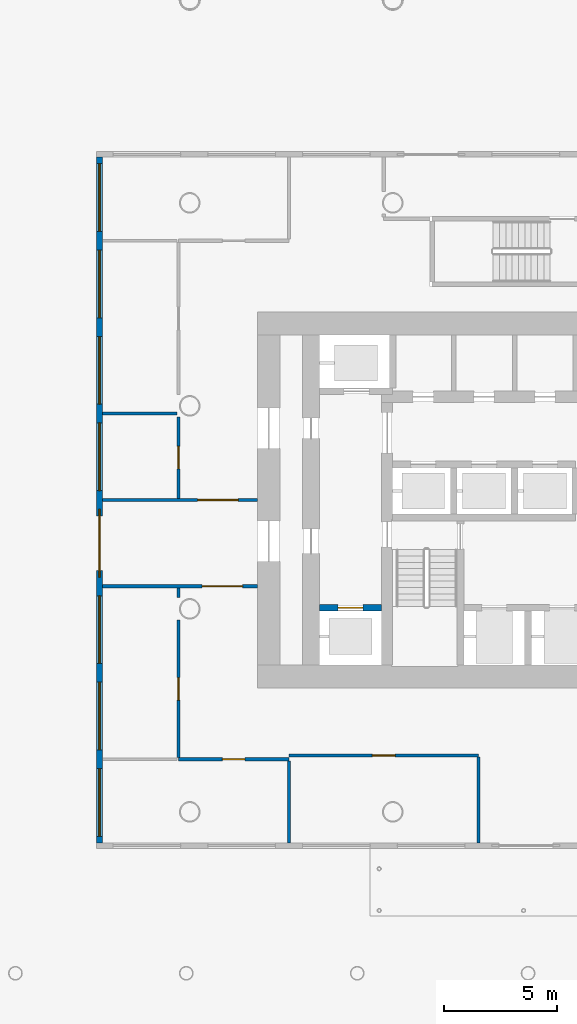
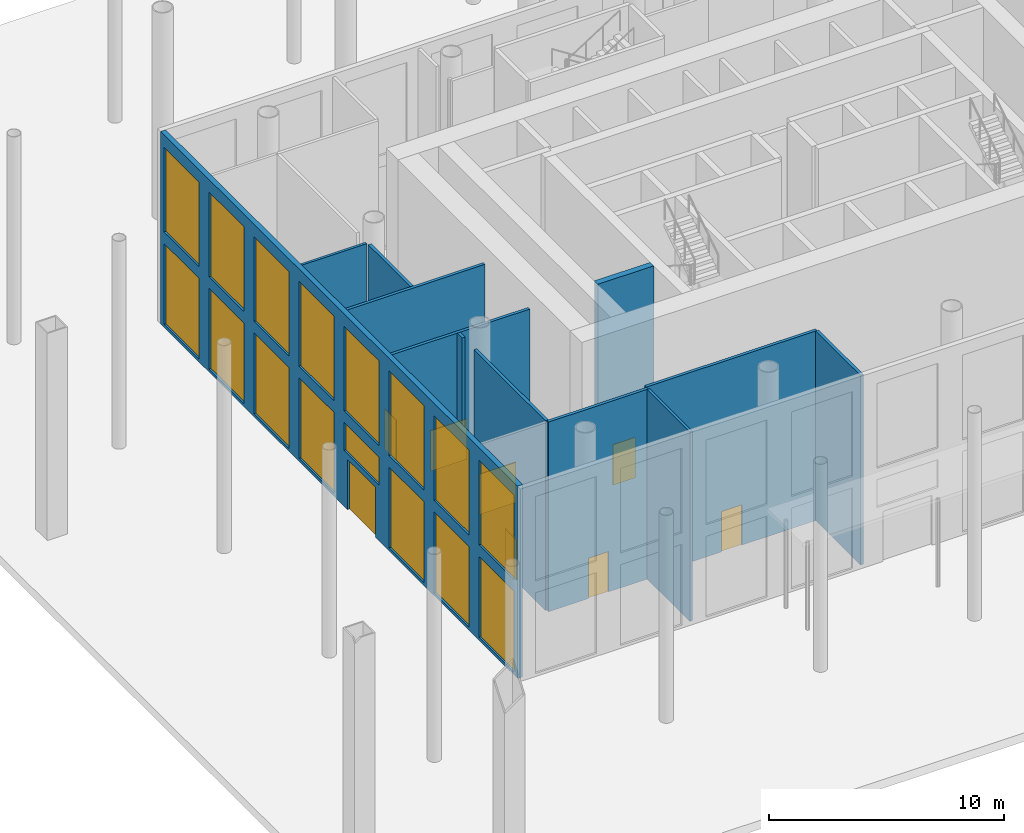
# One storey, part 8 of 18: 16 windows, 12 walls, 8 doors, 24 openings.
"""IFC4 building model written with IfcOpenShell, lengths in metres."""

from ifc_helpers import new_model, si_unit, direction, frame, frame_2d, origin, place, context, subcontext, project, spatial, rectangle, extrude, material, layer, layer_set, type_object, element, fill, save


model = new_model("IFC4")

# Units and contexts
model_context = context("Model", 3, precision=1e-05, world=origin(), true_north=direction((0.0, 1.0)))
body_context = subcontext(model_context, "Body", "Model", "MODEL_VIEW")
ifc_project = project(units=[si_unit("LENGTHUNIT", "METRE"), si_unit("AREAUNIT", "SQUARE_METRE"), si_unit("VOLUMEUNIT", "CUBIC_METRE"), si_unit("PLANEANGLEUNIT", "RADIAN"), si_unit("MASSUNIT", "GRAM", prefix="KILO")], contexts=[model_context])

# Site, building, storey
site_placement = place(None, origin())
site = spatial("IfcSite", under=ifc_project, at=site_placement, CompositionType="ELEMENT")
building_placement = place(site_placement, origin())
building = spatial("IfcBuilding", under=site, at=building_placement, Name="Tskaro Facet Tower", CompositionType="ELEMENT")
storey_placement = place(building_placement, origin())
storey = spatial("IfcBuildingStorey", under=building, at=storey_placement, Name="L00", CompositionType="ELEMENT", Elevation=0.0)

# Wall, opening, door
ifc_material_1 = material(Name="Concrete C60/75", Category="concrete")
ifc_layer_1 = layer(ifc_material_1, 0.300048828125, Name="Concrete C60/75")
ifc_layer_set_1 = layer_set([ifc_layer_1], Name="Concrete C60/75")
wall_type_1 = type_object("IfcWallType", Name="CORE-SHAFT", PredefinedType="SHEAR", material=ifc_layer_set_1)
wall_1_placement = place(storey_placement, frame((-12.25, -8.949951171875, 0.0), z_axis=(0.0, 0.0, 1.0), x_axis=(1.0, 0.0, 0.0)))
wall_1 = element("IfcWall", 1, at=wall_1_placement, inside=storey, type_object=wall_type_1, Name="Shaft wall W006", PredefinedType="SHEAR", context=body_context, shape_type="SweptSolid", body=[
    extrude(rectangle(XDim=2.75, YDim=0.300048828125, at=frame_2d((1.375, 0.0))), origin(), (0.0, 0.0, 1.0), 10.800048828125),
])
opening_1_placement = place(wall_1_placement, frame((0.824951171875, 0.0, 0.0)))
opening_1 = element("IfcOpeningElement", 2, at=opening_1_placement, cuts=wall_1, Name="Opening LD-SHWS", PredefinedType="OPENING", context=body_context, shape_type="SweptSolid", body=[
    extrude(rectangle(XDim=1.10009765625, YDim=2.10009765625, at=frame_2d((0.550048828125, 1.050048828125))), frame((0.0, 0.159912109375, 0.0), z_axis=(0.0, -1.0, 0.0), x_axis=(1.0, 0.0, 0.0)), (0.0, 0.0, 1.0), 0.320068359375),
])
ifc_material_2 = material(Name="Stainless steel", Category="steel")
door_type_1 = type_object("IfcDoorType", Name="D-LANDING", OperationType="NOTDEFINED", PredefinedType="DOOR", material=ifc_material_2)
door_1_placement = place(opening_1_placement, origin())
door_1 = element("IfcDoor", 3, at=door_1_placement, inside=storey, type_object=door_type_1, Name="Landing door shuttle W1", OperationType="DOUBLE_DOOR_SLIDING", OverallHeight=2.10009765625, OverallWidth=1.10009765625, PredefinedType="DOOR", context=body_context, shape_type="SweptSolid", body=[
    extrude(rectangle(XDim=1.10009765625, YDim=2.10009765625, at=frame_2d((0.550048828125, 1.050048828125))), frame((0.0, 0.02490234375, 0.0), z_axis=(0.0, -1.0, 0.0), x_axis=(1.0, 0.0, 0.0)), (0.0, 0.0, 1.0), 0.050048828125),
])
fill(opening_1, door_1)

# Wall, openings, windows, door
ifc_material_3 = material(Name="Bronze anodised aluminium cladding 5005-H34", Category="aluminium")
ifc_layer_2 = layer(ifc_material_3, 0.25, Name="Bronze anodised aluminium cladding 5005-H34")
ifc_layer_set_2 = layer_set([ifc_layer_2], Name="Bronze anodised aluminium cladding 5005-H34")
wall_type_2 = type_object("IfcWallType", Name="Concourse frame wall", PredefinedType="STANDARD", material=ifc_layer_set_2)
wall_2_placement = place(storey_placement, frame((-22.0, 11.02490234375, 0.0), z_axis=(0.0, 0.0, 1.0), x_axis=(0.0, -1.0, 0.0)))
wall_2 = element("IfcWall", 4, at=wall_2_placement, inside=storey, type_object=wall_type_2, Name="Concourse wall west", PredefinedType="STANDARD", context=body_context, shape_type="SweptSolid", body=[
    extrude(rectangle(XDim=30.39990234375, YDim=0.25, at=frame_2d((15.199951171875, 0.0))), origin(), (0.0, 0.0, 1.0), 10.0),
])
opening_2_placement = place(wall_2_placement, frame((0.29052734375, 0.0, 0.14990234375)))
opening_2 = element("IfcOpeningElement", 5, at=opening_2_placement, cuts=wall_2, Name="Opening GW1", PredefinedType="OPENING", context=body_context, shape_type="SweptSolid", body=[
    extrude(rectangle(XDim=3.0, YDim=4.199951171875, at=frame_2d((1.5, 2.10009765625))), frame((0.0, 0.135009765625, 0.0), z_axis=(0.0, -1.0, 0.0), x_axis=(1.0, 0.0, 0.0)), (0.0, 0.0, 1.0), 0.27001953125),
])
opening_3_placement = place(wall_2_placement, frame((0.29052734375, 0.0, 4.949951171875)))
opening_3 = element("IfcOpeningElement", 6, at=opening_3_placement, cuts=wall_2, Name="Opening GW2", PredefinedType="OPENING", context=body_context, shape_type="SweptSolid", body=[
    extrude(rectangle(XDim=3.0, YDim=4.39990234375, at=frame_2d((1.5, 2.199951171875))), frame((0.0, 0.135009765625, 0.0), z_axis=(0.0, -1.0, 0.0), x_axis=(1.0, 0.0, 0.0)), (0.0, 0.0, 1.0), 0.27001953125),
])
opening_4_placement = place(wall_2_placement, frame((4.121826171875, 0.0, 0.14990234375)))
opening_4 = element("IfcOpeningElement", 7, at=opening_4_placement, cuts=wall_2, Name="Opening GW1", PredefinedType="OPENING", context=body_context, shape_type="SweptSolid", body=[
    extrude(rectangle(XDim=3.0, YDim=4.199951171875, at=frame_2d((1.5, 2.10009765625))), frame((0.0, 0.135009765625, 0.0), z_axis=(0.0, -1.0, 0.0), x_axis=(1.0, 0.0, 0.0)), (0.0, 0.0, 1.0), 0.27001953125),
])
opening_5_placement = place(wall_2_placement, frame((4.121826171875, 0.0, 4.949951171875)))
opening_5 = element("IfcOpeningElement", 8, at=opening_5_placement, cuts=wall_2, Name="Opening GW2", PredefinedType="OPENING", context=body_context, shape_type="SweptSolid", body=[
    extrude(rectangle(XDim=3.0, YDim=4.39990234375, at=frame_2d((1.5, 2.199951171875))), frame((0.0, 0.135009765625, 0.0), z_axis=(0.0, -1.0, 0.0), x_axis=(1.0, 0.0, 0.0)), (0.0, 0.0, 1.0), 0.27001953125),
])
opening_6_placement = place(wall_2_placement, frame((7.953125, 0.0, 0.14990234375)))
opening_6 = element("IfcOpeningElement", 9, at=opening_6_placement, cuts=wall_2, Name="Opening GW1", PredefinedType="OPENING", context=body_context, shape_type="SweptSolid", body=[
    extrude(rectangle(XDim=3.0, YDim=4.199951171875, at=frame_2d((1.5, 2.10009765625))), frame((0.0, 0.135009765625, 0.0), z_axis=(0.0, -1.0, 0.0), x_axis=(1.0, 0.0, 0.0)), (0.0, 0.0, 1.0), 0.27001953125),
])
opening_7_placement = place(wall_2_placement, frame((7.953125, 0.0, 4.949951171875)))
opening_7 = element("IfcOpeningElement", 10, at=opening_7_placement, cuts=wall_2, Name="Opening GW2", PredefinedType="OPENING", context=body_context, shape_type="SweptSolid", body=[
    extrude(rectangle(XDim=3.0, YDim=4.39990234375, at=frame_2d((1.5, 2.199951171875))), frame((0.0, 0.135009765625, 0.0), z_axis=(0.0, -1.0, 0.0), x_axis=(1.0, 0.0, 0.0)), (0.0, 0.0, 1.0), 0.27001953125),
])
opening_8_placement = place(wall_2_placement, frame((11.784423828125, 0.0, 0.14990234375)))
opening_8 = element("IfcOpeningElement", 11, at=opening_8_placement, cuts=wall_2, Name="Opening GW1", PredefinedType="OPENING", context=body_context, shape_type="SweptSolid", body=[
    extrude(rectangle(XDim=3.0, YDim=4.199951171875, at=frame_2d((1.5, 2.10009765625))), frame((0.0, 0.135009765625, 0.0), z_axis=(0.0, -1.0, 0.0), x_axis=(1.0, 0.0, 0.0)), (0.0, 0.0, 1.0), 0.27001953125),
])
opening_9_placement = place(wall_2_placement, frame((11.784423828125, 0.0, 4.949951171875)))
opening_9 = element("IfcOpeningElement", 12, at=opening_9_placement, cuts=wall_2, Name="Opening GW2", PredefinedType="OPENING", context=body_context, shape_type="SweptSolid", body=[
    extrude(rectangle(XDim=3.0, YDim=4.39990234375, at=frame_2d((1.5, 2.199951171875))), frame((0.0, 0.135009765625, 0.0), z_axis=(0.0, -1.0, 0.0), x_axis=(1.0, 0.0, 0.0)), (0.0, 0.0, 1.0), 0.27001953125),
])
opening_10_placement = place(wall_2_placement, frame((15.91552734375, 0.0, 0.0)))
opening_10 = element("IfcOpeningElement", 13, at=opening_10_placement, cuts=wall_2, Name="Opening E06", PredefinedType="OPENING", context=body_context, shape_type="SweptSolid", body=[
    extrude(rectangle(XDim=2.39990234375, YDim=2.60009765625, at=frame_2d((1.199951171875, 1.300048828125))), frame((0.0, 0.135009765625, 0.0), z_axis=(0.0, -1.0, 0.0), x_axis=(1.0, 0.0, 0.0)), (0.0, 0.0, 1.0), 0.27001953125),
])
opening_11_placement = place(wall_2_placement, frame((15.61572265625, 0.0, 2.89990234375)))
opening_11 = element("IfcOpeningElement", 14, at=opening_11_placement, cuts=wall_2, Name="Opening GW3", PredefinedType="OPENING", context=body_context, shape_type="SweptSolid", body=[
    extrude(rectangle(XDim=3.0, YDim=1.449951171875, at=frame_2d((1.5, 0.72509765625))), frame((0.0, 0.135009765625, 0.0), z_axis=(0.0, -1.0, 0.0), x_axis=(1.0, 0.0, 0.0)), (0.0, 0.0, 1.0), 0.27001953125),
])
opening_12_placement = place(wall_2_placement, frame((15.61572265625, 0.0, 4.949951171875)))
opening_12 = element("IfcOpeningElement", 15, at=opening_12_placement, cuts=wall_2, Name="Opening GW2", PredefinedType="OPENING", context=body_context, shape_type="SweptSolid", body=[
    extrude(rectangle(XDim=3.0, YDim=4.39990234375, at=frame_2d((1.5, 2.199951171875))), frame((0.0, 0.135009765625, 0.0), z_axis=(0.0, -1.0, 0.0), x_axis=(1.0, 0.0, 0.0)), (0.0, 0.0, 1.0), 0.27001953125),
])
opening_13_placement = place(wall_2_placement, frame((19.44677734375, 0.0, 0.14990234375)))
opening_13 = element("IfcOpeningElement", 16, at=opening_13_placement, cuts=wall_2, Name="Opening GW1", PredefinedType="OPENING", context=body_context, shape_type="SweptSolid", body=[
    extrude(rectangle(XDim=3.0, YDim=4.199951171875, at=frame_2d((1.5, 2.10009765625))), frame((0.0, 0.135009765625, 0.0), z_axis=(0.0, -1.0, 0.0), x_axis=(1.0, 0.0, 0.0)), (0.0, 0.0, 1.0), 0.27001953125),
])
opening_14_placement = place(wall_2_placement, frame((19.44677734375, 0.0, 4.949951171875)))
opening_14 = element("IfcOpeningElement", 17, at=opening_14_placement, cuts=wall_2, Name="Opening GW2", PredefinedType="OPENING", context=body_context, shape_type="SweptSolid", body=[
    extrude(rectangle(XDim=3.0, YDim=4.39990234375, at=frame_2d((1.5, 2.199951171875))), frame((0.0, 0.135009765625, 0.0), z_axis=(0.0, -1.0, 0.0), x_axis=(1.0, 0.0, 0.0)), (0.0, 0.0, 1.0), 0.27001953125),
])
opening_15_placement = place(wall_2_placement, frame((23.278076171875, 0.0, 0.14990234375)))
opening_15 = element("IfcOpeningElement", 18, at=opening_15_placement, cuts=wall_2, Name="Opening GW1", PredefinedType="OPENING", context=body_context, shape_type="SweptSolid", body=[
    extrude(rectangle(XDim=3.0, YDim=4.199951171875, at=frame_2d((1.5, 2.10009765625))), frame((0.0, 0.135009765625, 0.0), z_axis=(0.0, -1.0, 0.0), x_axis=(1.0, 0.0, 0.0)), (0.0, 0.0, 1.0), 0.27001953125),
])
opening_16_placement = place(wall_2_placement, frame((23.278076171875, 0.0, 4.949951171875)))
opening_16 = element("IfcOpeningElement", 19, at=opening_16_placement, cuts=wall_2, Name="Opening GW2", PredefinedType="OPENING", context=body_context, shape_type="SweptSolid", body=[
    extrude(rectangle(XDim=3.0, YDim=4.39990234375, at=frame_2d((1.5, 2.199951171875))), frame((0.0, 0.135009765625, 0.0), z_axis=(0.0, -1.0, 0.0), x_axis=(1.0, 0.0, 0.0)), (0.0, 0.0, 1.0), 0.27001953125),
])
opening_17_placement = place(wall_2_placement, frame((27.109375, 0.0, 0.14990234375)))
opening_17 = element("IfcOpeningElement", 20, at=opening_17_placement, cuts=wall_2, Name="Opening GW1", PredefinedType="OPENING", context=body_context, shape_type="SweptSolid", body=[
    extrude(rectangle(XDim=3.0, YDim=4.199951171875, at=frame_2d((1.5, 2.10009765625))), frame((0.0, 0.135009765625, 0.0), z_axis=(0.0, -1.0, 0.0), x_axis=(1.0, 0.0, 0.0)), (0.0, 0.0, 1.0), 0.27001953125),
])
opening_18_placement = place(wall_2_placement, frame((27.109375, 0.0, 4.949951171875)))
opening_18 = element("IfcOpeningElement", 21, at=opening_18_placement, cuts=wall_2, Name="Opening GW2", PredefinedType="OPENING", context=body_context, shape_type="SweptSolid", body=[
    extrude(rectangle(XDim=3.0, YDim=4.39990234375, at=frame_2d((1.5, 2.199951171875))), frame((0.0, 0.135009765625, 0.0), z_axis=(0.0, -1.0, 0.0), x_axis=(1.0, 0.0, 0.0)), (0.0, 0.0, 1.0), 0.27001953125),
])
ifc_material_4 = material(Name="Bronze tinted glass", Category="glass")
window_type_1 = type_object("IfcWindowType", Name="Concourse transom light 3000x1450", PartitioningType="SINGLE_PANEL", PredefinedType="WINDOW", material=ifc_material_4)
window_1_placement = place(opening_11_placement, origin())
window_1 = element("IfcWindow", 22, at=window_1_placement, inside=storey, type_object=window_type_1, Name="Concourse transom light west 5", OverallHeight=1.449951171875, OverallWidth=3.0, PartitioningType="SINGLE_PANEL", PredefinedType="WINDOW", context=body_context, shape_type="SweptSolid", body=[
    extrude(rectangle(XDim=3.0, YDim=1.449951171875, at=frame_2d((1.5, 0.72509765625))), frame((0.0, 0.030029296875, 0.0), z_axis=(0.0, -1.0, 0.0), x_axis=(1.0, 0.0, 0.0)), (0.0, 0.0, 1.0), 0.06005859375),
])
fill(opening_11, window_1)
window_type_2 = type_object("IfcWindowType", Name="Concourse window 3000x4200", PartitioningType="DOUBLE_PANEL_HORIZONTAL", PredefinedType="WINDOW", material=ifc_material_4)
window_2_placement = place(opening_2_placement, origin())
window_2 = element("IfcWindow", 23, at=window_2_placement, inside=storey, type_object=window_type_2, Name="Concourse window west 1 lower", OverallHeight=4.199951171875, OverallWidth=3.0, PartitioningType="DOUBLE_PANEL_HORIZONTAL", PredefinedType="WINDOW", context=body_context, shape_type="SweptSolid", body=[
    extrude(rectangle(XDim=3.0, YDim=4.199951171875, at=frame_2d((1.5, 2.10009765625))), frame((0.0, 0.030029296875, 0.0), z_axis=(0.0, -1.0, 0.0), x_axis=(1.0, 0.0, 0.0)), (0.0, 0.0, 1.0), 0.06005859375),
])
fill(opening_2, window_2)
window_3_placement = place(opening_4_placement, origin())
window_3 = element("IfcWindow", 24, at=window_3_placement, inside=storey, type_object=window_type_2, Name="Concourse window west 2 lower", OverallHeight=4.199951171875, OverallWidth=3.0, PartitioningType="DOUBLE_PANEL_HORIZONTAL", PredefinedType="WINDOW", context=body_context, shape_type="SweptSolid", body=[
    extrude(rectangle(XDim=3.0, YDim=4.199951171875, at=frame_2d((1.5, 2.10009765625))), frame((0.0, 0.030029296875, 0.0), z_axis=(0.0, -1.0, 0.0), x_axis=(1.0, 0.0, 0.0)), (0.0, 0.0, 1.0), 0.06005859375),
])
fill(opening_4, window_3)
window_4_placement = place(opening_6_placement, origin())
window_4 = element("IfcWindow", 25, at=window_4_placement, inside=storey, type_object=window_type_2, Name="Concourse window west 3 lower", OverallHeight=4.199951171875, OverallWidth=3.0, PartitioningType="DOUBLE_PANEL_HORIZONTAL", PredefinedType="WINDOW", context=body_context, shape_type="SweptSolid", body=[
    extrude(rectangle(XDim=3.0, YDim=4.199951171875, at=frame_2d((1.5, 2.10009765625))), frame((0.0, 0.030029296875, 0.0), z_axis=(0.0, -1.0, 0.0), x_axis=(1.0, 0.0, 0.0)), (0.0, 0.0, 1.0), 0.06005859375),
])
fill(opening_6, window_4)
window_5_placement = place(opening_8_placement, origin())
window_5 = element("IfcWindow", 26, at=window_5_placement, inside=storey, type_object=window_type_2, Name="Concourse window west 4 lower", OverallHeight=4.199951171875, OverallWidth=3.0, PartitioningType="DOUBLE_PANEL_HORIZONTAL", PredefinedType="WINDOW", context=body_context, shape_type="SweptSolid", body=[
    extrude(rectangle(XDim=3.0, YDim=4.199951171875, at=frame_2d((1.5, 2.10009765625))), frame((0.0, 0.030029296875, 0.0), z_axis=(0.0, -1.0, 0.0), x_axis=(1.0, 0.0, 0.0)), (0.0, 0.0, 1.0), 0.06005859375),
])
fill(opening_8, window_5)
window_6_placement = place(opening_13_placement, origin())
window_6 = element("IfcWindow", 27, at=window_6_placement, inside=storey, type_object=window_type_2, Name="Concourse window west 6 lower", OverallHeight=4.199951171875, OverallWidth=3.0, PartitioningType="DOUBLE_PANEL_HORIZONTAL", PredefinedType="WINDOW", context=body_context, shape_type="SweptSolid", body=[
    extrude(rectangle(XDim=3.0, YDim=4.199951171875, at=frame_2d((1.5, 2.10009765625))), frame((0.0, 0.030029296875, 0.0), z_axis=(0.0, -1.0, 0.0), x_axis=(1.0, 0.0, 0.0)), (0.0, 0.0, 1.0), 0.06005859375),
])
fill(opening_13, window_6)
window_7_placement = place(opening_15_placement, origin())
window_7 = element("IfcWindow", 28, at=window_7_placement, inside=storey, type_object=window_type_2, Name="Concourse window west 7 lower", OverallHeight=4.199951171875, OverallWidth=3.0, PartitioningType="DOUBLE_PANEL_HORIZONTAL", PredefinedType="WINDOW", context=body_context, shape_type="SweptSolid", body=[
    extrude(rectangle(XDim=3.0, YDim=4.199951171875, at=frame_2d((1.5, 2.10009765625))), frame((0.0, 0.030029296875, 0.0), z_axis=(0.0, -1.0, 0.0), x_axis=(1.0, 0.0, 0.0)), (0.0, 0.0, 1.0), 0.06005859375),
])
fill(opening_15, window_7)
window_8_placement = place(opening_17_placement, origin())
window_8 = element("IfcWindow", 29, at=window_8_placement, inside=storey, type_object=window_type_2, Name="Concourse window west 8 lower", OverallHeight=4.199951171875, OverallWidth=3.0, PartitioningType="DOUBLE_PANEL_HORIZONTAL", PredefinedType="WINDOW", context=body_context, shape_type="SweptSolid", body=[
    extrude(rectangle(XDim=3.0, YDim=4.199951171875, at=frame_2d((1.5, 2.10009765625))), frame((0.0, 0.030029296875, 0.0), z_axis=(0.0, -1.0, 0.0), x_axis=(1.0, 0.0, 0.0)), (0.0, 0.0, 1.0), 0.06005859375),
])
fill(opening_17, window_8)
window_type_3 = type_object("IfcWindowType", Name="Concourse window 3000x4400", PartitioningType="DOUBLE_PANEL_HORIZONTAL", PredefinedType="WINDOW", material=ifc_material_4)
window_9_placement = place(opening_3_placement, origin())
window_9 = element("IfcWindow", 30, at=window_9_placement, inside=storey, type_object=window_type_3, Name="Concourse window west 1 upper", OverallHeight=4.39990234375, OverallWidth=3.0, PartitioningType="DOUBLE_PANEL_HORIZONTAL", PredefinedType="WINDOW", context=body_context, shape_type="SweptSolid", body=[
    extrude(rectangle(XDim=3.0, YDim=4.39990234375, at=frame_2d((1.5, 2.199951171875))), frame((0.0, 0.030029296875, 0.0), z_axis=(0.0, -1.0, 0.0), x_axis=(1.0, 0.0, 0.0)), (0.0, 0.0, 1.0), 0.06005859375),
])
fill(opening_3, window_9)
window_10_placement = place(opening_5_placement, origin())
window_10 = element("IfcWindow", 31, at=window_10_placement, inside=storey, type_object=window_type_3, Name="Concourse window west 2 upper", OverallHeight=4.39990234375, OverallWidth=3.0, PartitioningType="DOUBLE_PANEL_HORIZONTAL", PredefinedType="WINDOW", context=body_context, shape_type="SweptSolid", body=[
    extrude(rectangle(XDim=3.0, YDim=4.39990234375, at=frame_2d((1.5, 2.199951171875))), frame((0.0, 0.030029296875, 0.0), z_axis=(0.0, -1.0, 0.0), x_axis=(1.0, 0.0, 0.0)), (0.0, 0.0, 1.0), 0.06005859375),
])
fill(opening_5, window_10)
window_11_placement = place(opening_7_placement, origin())
window_11 = element("IfcWindow", 32, at=window_11_placement, inside=storey, type_object=window_type_3, Name="Concourse window west 3 upper", OverallHeight=4.39990234375, OverallWidth=3.0, PartitioningType="DOUBLE_PANEL_HORIZONTAL", PredefinedType="WINDOW", context=body_context, shape_type="SweptSolid", body=[
    extrude(rectangle(XDim=3.0, YDim=4.39990234375, at=frame_2d((1.5, 2.199951171875))), frame((0.0, 0.030029296875, 0.0), z_axis=(0.0, -1.0, 0.0), x_axis=(1.0, 0.0, 0.0)), (0.0, 0.0, 1.0), 0.06005859375),
])
fill(opening_7, window_11)
window_12_placement = place(opening_9_placement, origin())
window_12 = element("IfcWindow", 33, at=window_12_placement, inside=storey, type_object=window_type_3, Name="Concourse window west 4 upper", OverallHeight=4.39990234375, OverallWidth=3.0, PartitioningType="DOUBLE_PANEL_HORIZONTAL", PredefinedType="WINDOW", context=body_context, shape_type="SweptSolid", body=[
    extrude(rectangle(XDim=3.0, YDim=4.39990234375, at=frame_2d((1.5, 2.199951171875))), frame((0.0, 0.030029296875, 0.0), z_axis=(0.0, -1.0, 0.0), x_axis=(1.0, 0.0, 0.0)), (0.0, 0.0, 1.0), 0.06005859375),
])
fill(opening_9, window_12)
window_13_placement = place(opening_12_placement, origin())
window_13 = element("IfcWindow", 34, at=window_13_placement, inside=storey, type_object=window_type_3, Name="Concourse window west 5 upper", OverallHeight=4.39990234375, OverallWidth=3.0, PartitioningType="DOUBLE_PANEL_HORIZONTAL", PredefinedType="WINDOW", context=body_context, shape_type="SweptSolid", body=[
    extrude(rectangle(XDim=3.0, YDim=4.39990234375, at=frame_2d((1.5, 2.199951171875))), frame((0.0, 0.030029296875, 0.0), z_axis=(0.0, -1.0, 0.0), x_axis=(1.0, 0.0, 0.0)), (0.0, 0.0, 1.0), 0.06005859375),
])
fill(opening_12, window_13)
window_14_placement = place(opening_14_placement, origin())
window_14 = element("IfcWindow", 35, at=window_14_placement, inside=storey, type_object=window_type_3, Name="Concourse window west 6 upper", OverallHeight=4.39990234375, OverallWidth=3.0, PartitioningType="DOUBLE_PANEL_HORIZONTAL", PredefinedType="WINDOW", context=body_context, shape_type="SweptSolid", body=[
    extrude(rectangle(XDim=3.0, YDim=4.39990234375, at=frame_2d((1.5, 2.199951171875))), frame((0.0, 0.030029296875, 0.0), z_axis=(0.0, -1.0, 0.0), x_axis=(1.0, 0.0, 0.0)), (0.0, 0.0, 1.0), 0.06005859375),
])
fill(opening_14, window_14)
window_15_placement = place(opening_16_placement, origin())
window_15 = element("IfcWindow", 36, at=window_15_placement, inside=storey, type_object=window_type_3, Name="Concourse window west 7 upper", OverallHeight=4.39990234375, OverallWidth=3.0, PartitioningType="DOUBLE_PANEL_HORIZONTAL", PredefinedType="WINDOW", context=body_context, shape_type="SweptSolid", body=[
    extrude(rectangle(XDim=3.0, YDim=4.39990234375, at=frame_2d((1.5, 2.199951171875))), frame((0.0, 0.030029296875, 0.0), z_axis=(0.0, -1.0, 0.0), x_axis=(1.0, 0.0, 0.0)), (0.0, 0.0, 1.0), 0.06005859375),
])
fill(opening_16, window_15)
window_16_placement = place(opening_18_placement, origin())
window_16 = element("IfcWindow", 37, at=window_16_placement, inside=storey, type_object=window_type_3, Name="Concourse window west 8 upper", OverallHeight=4.39990234375, OverallWidth=3.0, PartitioningType="DOUBLE_PANEL_HORIZONTAL", PredefinedType="WINDOW", context=body_context, shape_type="SweptSolid", body=[
    extrude(rectangle(XDim=3.0, YDim=4.39990234375, at=frame_2d((1.5, 2.199951171875))), frame((0.0, 0.030029296875, 0.0), z_axis=(0.0, -1.0, 0.0), x_axis=(1.0, 0.0, 0.0)), (0.0, 0.0, 1.0), 0.06005859375),
])
fill(opening_18, window_16)
ifc_material_5 = material(Name="Bronze anodised aluminium 6063-T6 and glass", Category="aluminium")
door_type_2 = type_object("IfcDoorType", Name="Sliding entrance door 2400x2600", OperationType="DOUBLE_DOOR_SLIDING", PredefinedType="DOOR", material=ifc_material_5)
door_2_placement = place(opening_10_placement, origin())
door_2 = element("IfcDoor", 38, at=door_2_placement, inside=storey, type_object=door_type_2, Name="Entrance door west 5", OperationType="DOUBLE_DOOR_SLIDING", OverallHeight=2.60009765625, OverallWidth=2.39990234375, PredefinedType="DOOR", context=body_context, shape_type="SweptSolid", body=[
    extrude(rectangle(XDim=2.39990234375, YDim=2.60009765625, at=frame_2d((1.199951171875, 1.300048828125))), frame((0.0, 0.02490234375, 0.0), z_axis=(0.0, -1.0, 0.0), x_axis=(1.0, 0.0, 0.0)), (0.0, 0.0, 1.0), 0.050048828125),
])
fill(opening_10, door_2)

# Walls
ifc_material_6 = material(Name="Gypsum board on steel studs", Category="steel")
ifc_layer_3 = layer(ifc_material_6, 0.125, Name="Gypsum board on steel studs")
ifc_layer_set_3 = layer_set([ifc_layer_3], Name="Gypsum board on steel studs")
wall_type_3 = type_object("IfcWallType", Name="PART", PredefinedType="PARTITIONING", material=ifc_layer_set_3)
wall_3_placement = place(storey_placement, frame((-21.875, -0.343994140625, 0.0), z_axis=(0.0, 0.0, 1.0), x_axis=(1.0, 0.0, 0.0)))
element("IfcWall", 39, at=wall_3_placement, inside=storey, type_object=wall_type_3, Name="Partition W018", PredefinedType="PARTITIONING", context=body_context, shape_type="SweptSolid", body=[
    extrude(rectangle(XDim=3.300048828125, YDim=0.125, at=frame_2d((1.64990234375, 0.0))), origin(), (0.0, 0.0, 1.0), 9.860107421875),
])
wall_4_placement = place(storey_placement, frame((-13.60009765625, -19.375, 0.0), z_axis=(0.0, 0.0, 1.0), x_axis=(0.0, 1.0, 0.0)))
element("IfcWall", 40, at=wall_4_placement, inside=storey, type_object=wall_type_3, Name="Partition W033", PredefinedType="PARTITIONING", context=body_context, shape_type="SweptSolid", body=[
    extrude(rectangle(XDim=3.631103515625, YDim=0.125, at=frame_2d((1.8154296875, 0.0))), origin(), (0.0, 0.0, 1.0), 9.860107421875),
])

# Wall, opening, door
ifc_layer_4 = layer(ifc_material_6, 0.14990234375, Name="Gypsum board on steel studs")
ifc_layer_set_4 = layer_set([ifc_layer_4], Name="Gypsum board on steel studs")
wall_type_4 = type_object("IfcWallType", Name="PART-CORR", PredefinedType="PARTITIONING", material=ifc_layer_set_4)
wall_5_placement = place(storey_placement, frame((-13.60009765625, -15.6689453125, 0.0), z_axis=(0.0, 0.0, 1.0), x_axis=(-1.0, 0.0, 0.0)))
wall_5 = element("IfcWall", 41, at=wall_5_placement, inside=storey, type_object=wall_type_4, Name="Corridor wall W002", PredefinedType="PARTITIONING", context=body_context, shape_type="SweptSolid", body=[
    extrude(rectangle(XDim=4.89990234375, YDim=0.14990234375, at=frame_2d((2.449951171875, 0.0))), origin(), (0.0, 0.0, 1.0), 9.860107421875),
])
opening_19_placement = place(wall_5_placement, frame((1.949951171875, 0.0, 0.0)))
opening_19 = element("IfcOpeningElement", 42, at=opening_19_placement, cuts=wall_5, Name="Opening G-D02", PredefinedType="OPENING", context=body_context, shape_type="SweptSolid", body=[
    extrude(rectangle(XDim=1.0, YDim=2.10009765625, at=frame_2d((0.5, 1.050048828125))), frame((0.0, 0.0849609375, 0.0), z_axis=(0.0, -1.0, 0.0), x_axis=(1.0, 0.0, 0.0)), (0.0, 0.0, 1.0), 0.169921875),
])
ifc_material_7 = material(Name="Glass", Category="glass")
door_type_3 = type_object("IfcDoorType", Name="D-GLASS", OperationType="NOTDEFINED", PredefinedType="DOOR", material=ifc_material_7)
door_3_placement = place(opening_19_placement, origin())
door_3 = element("IfcDoor", 43, at=door_3_placement, inside=storey, type_object=door_type_3, Name="Door G-D02", OperationType="SINGLE_SWING_RIGHT", OverallHeight=2.10009765625, OverallWidth=1.0, PredefinedType="DOOR", context=body_context, shape_type="SweptSolid", body=[
    extrude(rectangle(XDim=1.0, YDim=2.10009765625, at=frame_2d((0.5, 1.050048828125))), frame((0.0, 0.02490234375, 0.0), z_axis=(0.0, -1.0, 0.0), x_axis=(1.0, 0.0, 0.0)), (0.0, 0.0, 1.0), 0.050048828125),
])
fill(opening_19, door_3)

wall_6_placement = place(storey_placement, frame((-5.199951171875, -15.5, 0.0), z_axis=(0.0, 0.0, 1.0), x_axis=(-1.0, 0.0, 0.0)))
wall_6 = element("IfcWall", 44, at=wall_6_placement, inside=storey, type_object=wall_type_4, Name="Corridor wall W004", PredefinedType="PARTITIONING", context=body_context, shape_type="SweptSolid", body=[
    extrude(rectangle(XDim=8.400146484375, YDim=0.14990234375, at=frame_2d((4.2001953125, 0.0))), origin(), (0.0, 0.0, 1.0), 9.860107421875),
])
opening_20_placement = place(wall_6_placement, frame((3.699951171875, 0.0, 0.0)))
opening_20 = element("IfcOpeningElement", 45, at=opening_20_placement, cuts=wall_6, Name="Opening G-D03", PredefinedType="OPENING", context=body_context, shape_type="SweptSolid", body=[
    extrude(rectangle(XDim=1.0, YDim=2.10009765625, at=frame_2d((0.5, 1.050048828125))), frame((0.0, 0.0849609375, 0.0), z_axis=(0.0, -1.0, 0.0), x_axis=(1.0, 0.0, 0.0)), (0.0, 0.0, 1.0), 0.169921875),
])
door_4_placement = place(opening_20_placement, origin())
door_4 = element("IfcDoor", 46, at=door_4_placement, inside=storey, type_object=door_type_3, Name="Door G-D03", OperationType="SINGLE_SWING_RIGHT", OverallHeight=2.10009765625, OverallWidth=1.0, PredefinedType="DOOR", context=body_context, shape_type="SweptSolid", body=[
    extrude(rectangle(XDim=1.0, YDim=2.10009765625, at=frame_2d((0.5, 1.050048828125))), frame((0.0, 0.02490234375, 0.0), z_axis=(0.0, -1.0, 0.0), x_axis=(1.0, 0.0, 0.0)), (0.0, 0.0, 1.0), 0.050048828125),
])
fill(opening_20, door_4)

wall_7_placement = place(storey_placement, frame((-15.0, -8.006103515625, 0.0), z_axis=(0.0, 0.0, 1.0), x_axis=(-1.0, 0.0, 0.0)))
wall_7 = element("IfcWall", 47, at=wall_7_placement, inside=storey, type_object=wall_type_4, Name="Corridor wall W009", PredefinedType="PARTITIONING", context=body_context, shape_type="SweptSolid", body=[
    extrude(rectangle(XDim=6.875, YDim=0.14990234375, at=frame_2d((3.4375, 0.0))), origin(), (0.0, 0.0, 1.0), 9.860107421875),
])
opening_21_placement = place(wall_7_placement, frame((0.64990234375, 0.0, 0.0)))
opening_21 = element("IfcOpeningElement", 48, at=opening_21_placement, cuts=wall_7, Name="Opening XC-2", PredefinedType="OPENING", context=body_context, shape_type="SweptSolid", body=[
    extrude(rectangle(XDim=1.800048828125, YDim=2.10009765625, at=frame_2d((0.89990234375, 1.050048828125))), frame((0.0, 0.0849609375, 0.0), z_axis=(0.0, -1.0, 0.0), x_axis=(1.0, 0.0, 0.0)), (0.0, 0.0, 1.0), 0.169921875),
])
door_type_4 = type_object("IfcDoorType", Name="D-ENTRY-PAIR", OperationType="NOTDEFINED", PredefinedType="DOOR", material=ifc_material_7)
door_5_placement = place(opening_21_placement, origin())
door_5 = element("IfcDoor", 49, at=door_5_placement, inside=storey, type_object=door_type_4, Name="Passage door 2", OperationType="DOUBLE_DOOR_SINGLE_SWING", OverallHeight=2.10009765625, OverallWidth=1.800048828125, PredefinedType="DOOR", context=body_context, shape_type="SweptSolid", body=[
    extrude(rectangle(XDim=1.800048828125, YDim=2.10009765625, at=frame_2d((0.89990234375, 1.050048828125))), frame((0.0, 0.02490234375, 0.0), z_axis=(0.0, -1.0, 0.0), x_axis=(1.0, 0.0, 0.0)), (0.0, 0.0, 1.0), 0.050048828125),
])
fill(opening_21, door_5)

wall_8_placement = place(storey_placement, frame((-21.875, -4.175048828125, 0.0), z_axis=(0.0, 0.0, 1.0), x_axis=(1.0, 0.0, 0.0)))
wall_8 = element("IfcWall", 50, at=wall_8_placement, inside=storey, type_object=wall_type_4, Name="Corridor wall W013", PredefinedType="PARTITIONING", context=body_context, shape_type="SweptSolid", body=[
    extrude(rectangle(XDim=6.875, YDim=0.14990234375, at=frame_2d((3.4375, 0.0))), origin(), (0.0, 0.0, 1.0), 9.860107421875),
])
opening_22_placement = place(wall_8_placement, frame((4.22509765625, 0.0, 0.0)))
opening_22 = element("IfcOpeningElement", 51, at=opening_22_placement, cuts=wall_8, Name="Opening XC-1", PredefinedType="OPENING", context=body_context, shape_type="SweptSolid", body=[
    extrude(rectangle(XDim=1.800048828125, YDim=2.10009765625, at=frame_2d((0.89990234375, 1.050048828125))), frame((0.0, 0.0849609375, 0.0), z_axis=(0.0, -1.0, 0.0), x_axis=(1.0, 0.0, 0.0)), (0.0, 0.0, 1.0), 0.169921875),
])
door_6_placement = place(opening_22_placement, origin())
door_6 = element("IfcDoor", 52, at=door_6_placement, inside=storey, type_object=door_type_4, Name="Passage door 1", OperationType="DOUBLE_DOOR_SINGLE_SWING", OverallHeight=2.10009765625, OverallWidth=1.800048828125, PredefinedType="DOOR", context=body_context, shape_type="SweptSolid", body=[
    extrude(rectangle(XDim=1.800048828125, YDim=2.10009765625, at=frame_2d((0.89990234375, 1.050048828125))), frame((0.0, 0.02490234375, 0.0), z_axis=(0.0, -1.0, 0.0), x_axis=(1.0, 0.0, 0.0)), (0.0, 0.0, 1.0), 0.050048828125),
])
fill(opening_22, door_6)

wall_9_placement = place(storey_placement, frame((-18.5, -15.593994140625, 0.0), z_axis=(0.0, 0.0, 1.0), x_axis=(0.0, 1.0, 0.0)))
wall_9 = element("IfcWall", 53, at=wall_9_placement, inside=storey, type_object=wall_type_4, Name="Corridor wall W029", PredefinedType="PARTITIONING", context=body_context, shape_type="SweptSolid", body=[
    extrude(rectangle(XDim=6.093994140625, YDim=0.14990234375, at=frame_2d((3.046875, 0.0))), origin(), (0.0, 0.0, 1.0), 9.860107421875),
])
opening_23_placement = place(wall_9_placement, frame((2.547119140625, 0.0, 0.0)))
opening_23 = element("IfcOpeningElement", 54, at=opening_23_placement, cuts=wall_9, Name="Opening G-D05", PredefinedType="OPENING", context=body_context, shape_type="SweptSolid", body=[
    extrude(rectangle(XDim=1.0, YDim=2.10009765625, at=frame_2d((0.5, 1.050048828125))), frame((0.0, 0.0849609375, 0.0), z_axis=(0.0, -1.0, 0.0), x_axis=(1.0, 0.0, 0.0)), (0.0, 0.0, 1.0), 0.169921875),
])
door_7_placement = place(opening_23_placement, origin())
door_7 = element("IfcDoor", 55, at=door_7_placement, inside=storey, type_object=door_type_3, Name="Door G-D05", OperationType="SINGLE_SWING_LEFT", OverallHeight=2.10009765625, OverallWidth=1.0, PredefinedType="DOOR", context=body_context, shape_type="SweptSolid", body=[
    extrude(rectangle(XDim=1.0, YDim=2.10009765625, at=frame_2d((0.5, 1.050048828125))), frame((0.0, 0.02490234375, 0.0), z_axis=(0.0, -1.0, 0.0), x_axis=(1.0, 0.0, 0.0)), (0.0, 0.0, 1.0), 0.050048828125),
])
fill(opening_23, door_7)

# Wall
wall_10_placement = place(storey_placement, frame((-18.5, -8.5, 0.0), z_axis=(0.0, 0.0, 1.0), x_axis=(0.0, 1.0, 0.0)))
element("IfcWall", 56, at=wall_10_placement, inside=storey, type_object=wall_type_4, Name="Corridor wall W030", PredefinedType="PARTITIONING", context=body_context, shape_type="SweptSolid", body=[
    extrude(rectangle(XDim=0.4189453125, YDim=0.14990234375, at=frame_2d((0.20947265625, 0.0))), origin(), (0.0, 0.0, 1.0), 9.860107421875),
])

# Wall, opening, door
wall_11_placement = place(storey_placement, frame((-18.5, -4.10009765625, 0.0), z_axis=(0.0, 0.0, 1.0), x_axis=(0.0, 1.0, 0.0)))
wall_11 = element("IfcWall", 57, at=wall_11_placement, inside=storey, type_object=wall_type_4, Name="Corridor wall W031", PredefinedType="PARTITIONING", context=body_context, shape_type="SweptSolid", body=[
    extrude(rectangle(XDim=3.60009765625, YDim=0.14990234375, at=frame_2d((1.800048828125, 0.0))), origin(), (0.0, 0.0, 1.0), 9.860107421875),
])
opening_24_placement = place(wall_11_placement, frame((1.300048828125, 0.0, 0.0)))
opening_24 = element("IfcOpeningElement", 58, at=opening_24_placement, cuts=wall_11, Name="Opening G-D07", PredefinedType="OPENING", context=body_context, shape_type="SweptSolid", body=[
    extrude(rectangle(XDim=1.0, YDim=2.10009765625, at=frame_2d((0.5, 1.050048828125))), frame((0.0, 0.0849609375, 0.0), z_axis=(0.0, -1.0, 0.0), x_axis=(1.0, 0.0, 0.0)), (0.0, 0.0, 1.0), 0.169921875),
])
door_8_placement = place(opening_24_placement, origin())
door_8 = element("IfcDoor", 59, at=door_8_placement, inside=storey, type_object=door_type_3, Name="Door G-D07", OperationType="SINGLE_SWING_LEFT", OverallHeight=2.10009765625, OverallWidth=1.0, PredefinedType="DOOR", context=body_context, shape_type="SweptSolid", body=[
    extrude(rectangle(XDim=1.0, YDim=2.10009765625, at=frame_2d((0.5, 1.050048828125))), frame((0.0, 0.02490234375, 0.0), z_axis=(0.0, -1.0, 0.0), x_axis=(1.0, 0.0, 0.0)), (0.0, 0.0, 1.0), 0.050048828125),
])
fill(opening_24, door_8)

# Wall
wall_12_placement = place(storey_placement, frame((-5.199951171875, -19.375, 0.0), z_axis=(0.0, 0.0, 1.0), x_axis=(0.0, 1.0, 0.0)))
element("IfcWall", 60, at=wall_12_placement, inside=storey, type_object=wall_type_4, Name="Corridor wall W042", PredefinedType="PARTITIONING", context=body_context, shape_type="SweptSolid", body=[
    extrude(rectangle(XDim=3.800048828125, YDim=0.14990234375, at=frame_2d((1.89990234375, 0.0))), origin(), (0.0, 0.0, 1.0), 9.860107421875),
])

save(model, "model.ifc")
